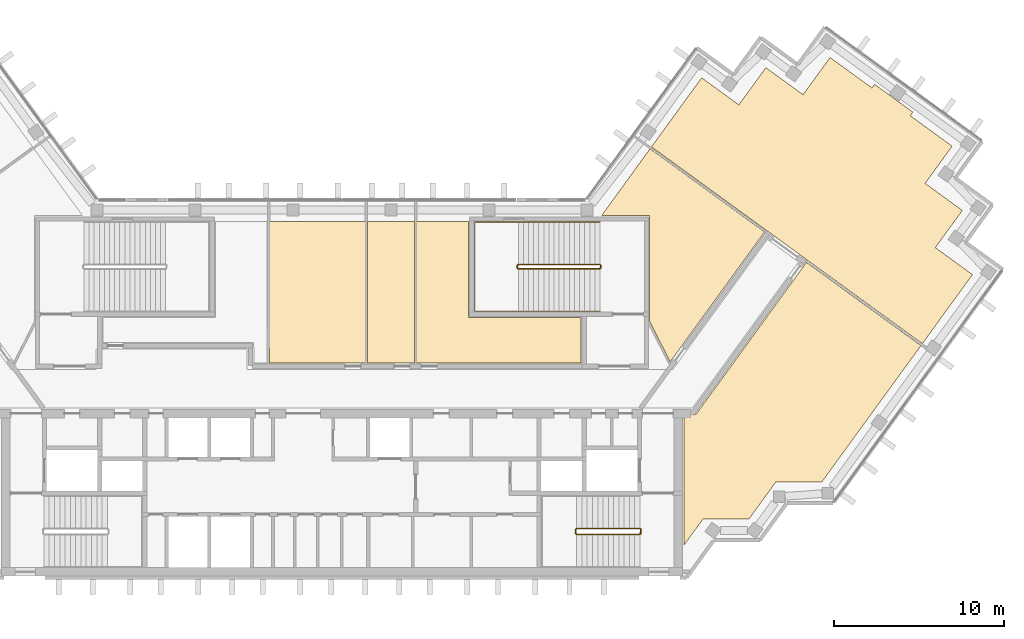
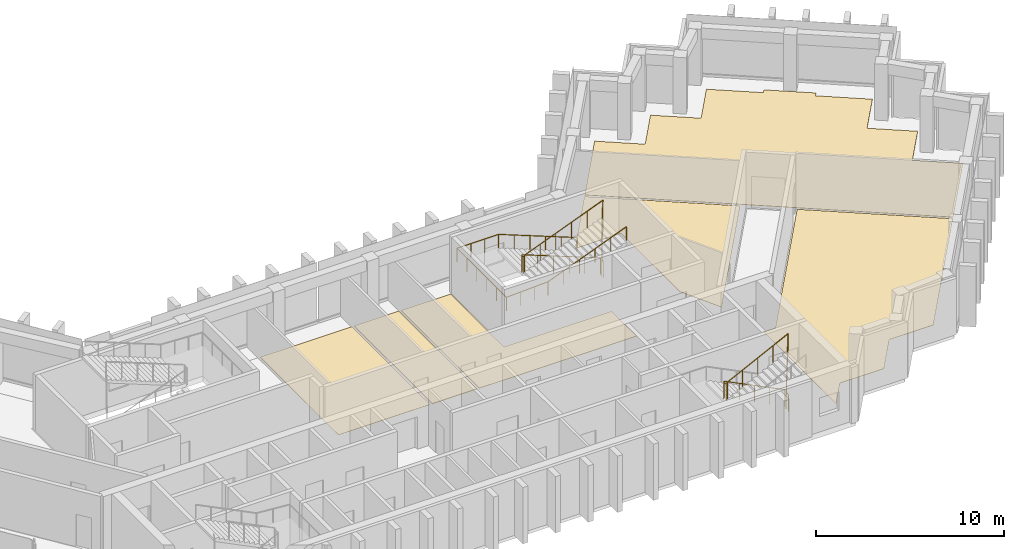
# One storey, part 10 of 10: 6 coverings, 3 railings.
"""IFC4 building model written with IfcOpenShell, lengths in metres."""

from ifc_helpers import new_model, si_unit, direction, frame, origin, origin_2d, place, context, subcontext, project, spatial, polyline, circle, outline, extrude, material, layer, layer_set, type_object, element, save


model = new_model("IFC4")

# Units and contexts
model_context = context("Model", 3, precision=1e-05, world=origin(), true_north=direction((0.0, 1.0)))
body_context = subcontext(model_context, "Body", "Model", "MODEL_VIEW")
ifc_project = project(units=[si_unit("LENGTHUNIT", "METRE"), si_unit("AREAUNIT", "SQUARE_METRE"), si_unit("VOLUMEUNIT", "CUBIC_METRE"), si_unit("PLANEANGLEUNIT", "RADIAN"), si_unit("MASSUNIT", "GRAM", prefix="KILO")], contexts=[model_context])

# Site, building, storey
site_placement = place(None, origin())
site = spatial("IfcSite", under=ifc_project, at=site_placement, CompositionType="ELEMENT")
building_placement = place(site_placement, origin())
building = spatial("IfcBuilding", under=site, at=building_placement, Name="Quipu Civic Tower", CompositionType="ELEMENT")
storey_placement = place(building_placement, frame((0.0, 0.0, 261.0)))
storey = spatial("IfcBuildingStorey", under=building, at=storey_placement, Name="L61", CompositionType="ELEMENT", Elevation=261.0)

# Coverings
ifc_material_1 = material(Name="Carpet tile on raised access floor")
ifc_layer_1 = layer(ifc_material_1, 0.02001953125)
ifc_layer_set_1 = layer_set([ifc_layer_1], Name="Carpet tile on raised access floor")
covering_type_1 = type_object("IfcCoveringType", Name="Carpet tile floor finish 20", PredefinedType="FLOORING", material=ifc_layer_set_1)
covering_1_placement = place(storey_placement, origin())
element("IfcCovering", 1, at=covering_1_placement, inside=storey, type_object=covering_type_1, Name="Carpet tile floor finish 20", PredefinedType="FLOORING", context=body_context, shape_type="SweptSolid", body=[
    extrude(outline(polyline([(15.238037109375, 10.169921875), (18.089111328125, 14.093994140625), (24.81201171875, 9.2109375), (19.27197265625, 1.583984375), (18.070068359375, 3.94189453125), (18.070068359375, 10.1689453125), (15.238037109375, 10.169921875)])), origin(), (0.0, 0.0, 1.0), 0.02001953125),
])
covering_2_placement = place(storey_placement, origin())
element("IfcCovering", 2, at=covering_2_placement, inside=storey, type_object=covering_type_1, Name="Carpet tile floor finish 20", PredefinedType="FLOORING", context=body_context, shape_type="SweptSolid", body=[
    extrude(outline(polyline([(-4.2490234375, 9.830078125), (1.368896484375, 9.830078125), (1.368896484375, 1.52001953125), (-4.2490234375, 1.52001953125), (-4.2490234375, 9.830078125)])), origin(), (0.0, 0.0, 1.0), 0.02001953125),
])
covering_3_placement = place(storey_placement, origin())
element("IfcCovering", 3, at=covering_3_placement, inside=storey, type_object=covering_type_1, Name="Carpet tile floor finish 20", PredefinedType="FLOORING", context=body_context, shape_type="SweptSolid", body=[
    extrude(outline(polyline([(18.172119140625, 14.20703125), (21.116943359375, 18.260986328125), (23.301025390625, 16.675048828125), (24.887939453125, 18.85791015625), (27.073974609375, 17.27197265625), (28.658935546875, 19.455078125), (31.116943359375, 17.6708984375), (31.27099609375, 17.8798828125), (33.52197265625, 16.2451171875), (33.3701171875, 16.032958984375), (35.826904296875, 14.248046875), (34.240966796875, 12.06396484375), (36.425048828125, 10.47607421875), (34.839111328125, 8.291015625), (37.02197265625, 6.7060546875), (34.077880859375, 2.652099609375), (18.172119140625, 14.20703125)])), origin(), (0.0, 0.0, 1.0), 0.02001953125),
])
covering_4_placement = place(storey_placement, origin())
element("IfcCovering", 4, at=covering_4_placement, inside=storey, type_object=covering_type_1, Name="Carpet tile floor finish 20", PredefinedType="FLOORING", context=body_context, shape_type="SweptSolid", body=[
    extrude(outline(polyline([(20.070068359375, -9.195068359375), (20.070068359375, -1.52001953125), (20.77490234375, -1.51904296875), (27.27197265625, 7.423095703125), (33.9951171875, 2.5390625), (28.181884765625, -5.4609375), (25.48193359375, -5.4619140625), (23.89501953125, -7.64599609375), (21.196044921875, -7.64599609375), (20.070068359375, -9.195068359375)])), origin(), (0.0, 0.0, 1.0), 0.02001953125),
])
covering_5_placement = place(storey_placement, origin())
element("IfcCovering", 5, at=covering_5_placement, inside=storey, type_object=covering_type_1, Name="Carpet tile floor finish 20", PredefinedType="FLOORING", context=body_context, shape_type="SweptSolid", body=[
    extrude(outline(polyline([(4.388916015625, 1.52001953125), (4.388916015625, 9.830078125), (7.429931640625, 9.830078125), (7.430908203125, 4.179931640625), (14.030029296875, 4.179931640625), (14.030029296875, 1.52001953125), (4.388916015625, 1.52001953125)])), origin(), (0.0, 0.0, 1.0), 0.02001953125),
])
ifc_material_2 = material(Name="Ceramic floor tile")
ifc_layer_2 = layer(ifc_material_2, 0.030029296875)
ifc_layer_set_2 = layer_set([ifc_layer_2], Name="Ceramic floor tile")
covering_type_2 = type_object("IfcCoveringType", Name="Ceramic tile floor finish 30", PredefinedType="FLOORING", material=ifc_layer_set_2)
covering_6_placement = place(storey_placement, origin())
element("IfcCovering", 6, at=covering_6_placement, inside=storey, type_object=covering_type_2, Name="Ceramic tile floor finish 30", PredefinedType="FLOORING", context=body_context, shape_type="SweptSolid", body=[
    extrude(outline(polyline([(1.510009765625, 1.52001953125), (1.510009765625, 9.830078125), (4.2490234375, 9.830078125), (4.2490234375, 1.52001953125), (1.510009765625, 1.52001953125)])), origin(), (0.0, 0.0, 1.0), 0.030029296875),
])

# Railings
ifc_material_3 = material(Name="Stainless steel", Category="steel")
railing_type_1 = type_object("IfcRailingType", Name="Stair guard 1100", PredefinedType="GUARDRAIL", material=ifc_material_3)
railing_1_placement = place(storey_placement, frame((17.5, -8.199951171875, 0.15380859375)))
element("IfcRailing", 7, at=railing_1_placement, inside=storey, type_object=railing_type_1, Name="Stair 2 guard", PredefinedType="GUARDRAIL", context=body_context, shape_type="SweptSolid", body=[
    extrude(circle(Radius=0.02392578125, at=origin_2d()), frame((0.0, 0.0, 1.076171875), z_axis=(-0.895751851347, 0.0, 0.444554407028), x_axis=(0.0, -1.0, 0.0)), (0.0, 0.0, 1.0), 4.15283203125),
    extrude(circle(Radius=0.02392578125, at=origin_2d()), frame((-3.719970703125, 0.0, 2.92236328125), z_axis=(-0.707106781187, -0.707106781187, 0.0), x_axis=(0.707106781187, -0.707106781187, 0.0)), (0.0, 0.0, 1.0), 0.07080078125),
    extrude(circle(Radius=0.02392578125, at=origin_2d()), frame((-3.77001953125, -0.050048828125, 2.92236328125), z_axis=(0.0, -1.0, 0.0), x_axis=(1.0, 0.0, 0.0)), (0.0, 0.0, 1.0), 0.25),
    extrude(circle(Radius=0.02392578125, at=origin_2d()), frame((-3.77001953125, -0.300048828125, 2.92236328125), z_axis=(0.295599637079, -0.295599637079, 0.908428152975), x_axis=(0.707106781187, 0.707106781187, 0.0)), (0.0, 0.0, 1.0), 0.16943359375),
    extrude(circle(Radius=0.02392578125, at=origin_2d()), frame((-3.719970703125, -0.35009765625, 3.076171875), z_axis=(0.895751851347, 0.0, 0.444554407028), x_axis=(0.0, 1.0, 0.0)), (0.0, 0.0, 1.0), 4.15283203125),
    extrude(circle(Radius=0.02392578125, at=origin_2d()), frame((0.0, -0.35009765625, 4.92236328125), z_axis=(0.012476181752, 0.074796231092, -0.997120789425), x_axis=(-0.986372223864, 0.164529134168, 0.0)), (0.0, 0.0, 1.0), 4.011474609375),
    extrude(circle(Radius=0.02392578125, at=origin_2d()), frame((0.050048828125, -0.050048828125, 0.92236328125), z_axis=(0.0, -1.0, 0.0), x_axis=(1.0, 0.0, 0.0)), (0.0, 0.0, 1.0), 0.25),
    extrude(circle(Radius=0.02099609375, at=origin_2d()), origin(), (0.0, 0.0, 1.0), 1.052001953125),
    extrude(circle(Radius=0.02099609375, at=origin_2d()), frame((-0.929931640625, 0.0, 0.46142578125)), (0.0, 0.0, 1.0), 1.052001953125),
    extrude(circle(Radius=0.02099609375, at=origin_2d()), frame((-1.85986328125, 0.0, 0.923095703125)), (0.0, 0.0, 1.0), 1.052001953125),
    extrude(circle(Radius=0.02099609375, at=origin_2d()), frame((-2.7900390625, 0.0, 1.384765625)), (0.0, 0.0, 1.0), 1.052001953125),
    extrude(circle(Radius=0.02099609375, at=origin_2d()), frame((-3.719970703125, 0.0, 1.84619140625)), (0.0, 0.0, 1.0), 1.052001953125),
    extrude(circle(Radius=0.02099609375, at=origin_2d()), frame((-3.77001953125, -0.050048828125, 1.84619140625)), (0.0, 0.0, 1.0), 1.052001953125),
    extrude(circle(Radius=0.02099609375, at=origin_2d()), frame((-3.77001953125, -0.300048828125, 1.84619140625)), (0.0, 0.0, 1.0), 1.052001953125),
    extrude(circle(Radius=0.02099609375, at=origin_2d()), frame((-3.719970703125, -0.35009765625, 2.0)), (0.0, 0.0, 1.0), 1.052001953125),
    extrude(circle(Radius=0.02099609375, at=origin_2d()), frame((-2.7900390625, -0.35009765625, 2.46142578125)), (0.0, 0.0, 1.0), 1.052001953125),
    extrude(circle(Radius=0.02099609375, at=origin_2d()), frame((-1.85986328125, -0.35009765625, 2.923095703125)), (0.0, 0.0, 1.0), 1.052001953125),
    extrude(circle(Radius=0.02099609375, at=origin_2d()), frame((-0.929931640625, -0.35009765625, 3.384765625)), (0.0, 0.0, 1.0), 1.052001953125),
    extrude(circle(Radius=0.02099609375, at=origin_2d()), frame((0.0, -0.35009765625, 3.84619140625)), (0.0, 0.0, 1.0), 1.052001953125),
    extrude(circle(Radius=0.02099609375, at=origin_2d()), frame((0.012451171875, -0.275146484375, 2.84619140625)), (0.0, 0.0, 1.0), 1.052001953125),
    extrude(circle(Radius=0.02099609375, at=origin_2d()), frame((0.02490234375, -0.2001953125, 1.84619140625)), (0.0, 0.0, 1.0), 1.052001953125),
    extrude(circle(Radius=0.02099609375, at=origin_2d()), frame((0.03759765625, -0.125, 0.84619140625)), (0.0, 0.0, 1.0), 1.052001953125),
    extrude(circle(Radius=0.02099609375, at=origin_2d()), frame((0.050048828125, -0.050048828125, -0.15380859375)), (0.0, 0.0, 1.0), 1.052001953125),
    extrude(circle(Radius=0.02099609375, at=origin_2d()), frame((0.050048828125, -0.300048828125, -0.15380859375)), (0.0, 0.0, 1.0), 1.052001953125),
])
railing_2_placement = place(storey_placement, frame((15.14990234375, 7.300048828125, 0.11767578125)))
element("IfcRailing", 8, at=railing_2_placement, inside=storey, type_object=railing_type_1, Name="Stair 4 guard", PredefinedType="GUARDRAIL", context=body_context, shape_type="SweptSolid", body=[
    extrude(circle(Radius=0.02392578125, at=origin_2d()), frame((0.0, 0.0, 1.076171875), z_axis=(-0.930970042603, 0.0, 0.365095576219), x_axis=(0.0, -1.0, 0.0)), (0.0, 0.0, 1.0), 5.15576171875),
    extrude(circle(Radius=0.02392578125, at=origin_2d()), frame((-4.7998046875, 0.0, 2.95849609375), z_axis=(-0.707106781187, -0.707106781187, 0.0), x_axis=(0.707106781187, -0.707106781187, 0.0)), (0.0, 0.0, 1.0), 0.07080078125),
    extrude(circle(Radius=0.02392578125, at=origin_2d()), frame((-4.849853515625, -0.050048828125, 2.95849609375), z_axis=(0.0, -1.0, 0.0), x_axis=(1.0, 0.0, 0.0)), (0.0, 0.0, 1.0), 0.14990234375),
    extrude(circle(Radius=0.02392578125, at=origin_2d()), frame((-4.849853515625, -0.199951171875, 2.95849609375), z_axis=(0.364463019033, -0.364463019033, 0.856932561824), x_axis=(0.707106781187, 0.707106781187, 0.0)), (0.0, 0.0, 1.0), 0.13720703125),
    extrude(circle(Radius=0.02392578125, at=origin_2d()), frame((-4.7998046875, -0.25, 3.076171875), z_axis=(0.930970042603, 0.0, 0.365095576219), x_axis=(0.0, 1.0, 0.0)), (0.0, 0.0, 1.0), 5.15576171875),
    extrude(circle(Radius=0.02392578125, at=origin_2d()), frame((0.0, -0.25, 4.95849609375), z_axis=(0.012495627992, 0.049921557685, -0.998674970829), x_axis=(-0.970072785993, 0.242814311512, 0.0)), (0.0, 0.0, 1.0), 4.00537109375),
    extrude(circle(Radius=0.02392578125, at=origin_2d()), frame((0.050048828125, -0.050048828125, 0.95849609375), z_axis=(0.0, -1.0, 0.0), x_axis=(1.0, 0.0, 0.0)), (0.0, 0.0, 1.0), 0.14990234375),
    extrude(circle(Radius=0.02099609375, at=origin_2d()), origin(), (0.0, 0.0, 1.0), 1.052001953125),
    extrude(circle(Radius=0.02099609375, at=origin_2d()), frame((-0.9599609375, 0.0, 0.37646484375)), (0.0, 0.0, 1.0), 1.052001953125),
    extrude(circle(Radius=0.02099609375, at=origin_2d()), frame((-1.919921875, 0.0, 0.7529296875)), (0.0, 0.0, 1.0), 1.052001953125),
    extrude(circle(Radius=0.02099609375, at=origin_2d()), frame((-2.8798828125, 0.0, 1.12939453125)), (0.0, 0.0, 1.0), 1.052001953125),
    extrude(circle(Radius=0.02099609375, at=origin_2d()), frame((-3.83984375, 0.0, 1.505859375)), (0.0, 0.0, 1.0), 1.052001953125),
    extrude(circle(Radius=0.02099609375, at=origin_2d()), frame((-4.7998046875, 0.0, 1.88232421875)), (0.0, 0.0, 1.0), 1.052001953125),
    extrude(circle(Radius=0.02099609375, at=origin_2d()), frame((-4.849853515625, -0.050048828125, 1.88232421875)), (0.0, 0.0, 1.0), 1.052001953125),
    extrude(circle(Radius=0.02099609375, at=origin_2d()), frame((-4.849853515625, -0.199951171875, 1.88232421875)), (0.0, 0.0, 1.0), 1.052001953125),
    extrude(circle(Radius=0.02099609375, at=origin_2d()), frame((-4.7998046875, -0.25, 2.0)), (0.0, 0.0, 1.0), 1.052001953125),
    extrude(circle(Radius=0.02099609375, at=origin_2d()), frame((-3.83984375, -0.25, 2.37646484375)), (0.0, 0.0, 1.0), 1.052001953125),
    extrude(circle(Radius=0.02099609375, at=origin_2d()), frame((-2.8798828125, -0.25, 2.7529296875)), (0.0, 0.0, 1.0), 1.052001953125),
    extrude(circle(Radius=0.02099609375, at=origin_2d()), frame((-1.919921875, -0.25, 3.12939453125)), (0.0, 0.0, 1.0), 1.052001953125),
    extrude(circle(Radius=0.02099609375, at=origin_2d()), frame((-0.9599609375, -0.25, 3.505859375)), (0.0, 0.0, 1.0), 1.052001953125),
    extrude(circle(Radius=0.02099609375, at=origin_2d()), frame((0.0, -0.25, 3.88232421875)), (0.0, 0.0, 1.0), 1.052001953125),
    extrude(circle(Radius=0.02099609375, at=origin_2d()), frame((0.012451171875, -0.199951171875, 2.88232421875)), (0.0, 0.0, 1.0), 1.052001953125),
    extrude(circle(Radius=0.02099609375, at=origin_2d()), frame((0.02490234375, -0.14990234375, 1.88232421875)), (0.0, 0.0, 1.0), 1.052001953125),
    extrude(circle(Radius=0.02099609375, at=origin_2d()), frame((0.03759765625, -0.10009765625, 0.88232421875)), (0.0, 0.0, 1.0), 1.052001953125),
    extrude(circle(Radius=0.02099609375, at=origin_2d()), frame((0.050048828125, -0.050048828125, -0.11767578125)), (0.0, 0.0, 1.0), 1.052001953125),
    extrude(circle(Radius=0.02099609375, at=origin_2d()), frame((0.050048828125, -0.199951171875, -0.11767578125)), (0.0, 0.0, 1.0), 1.052001953125),
])
ifc_material_4 = material(Name="Stainless steel", Category="steel")
railing_type_2 = type_object("IfcRailingType", Name="Stair handrail", PredefinedType="HANDRAIL", material=ifc_material_4)
railing_3_placement = place(storey_placement, frame((15.14990234375, 9.800048828125, 0.11767578125)))
element("IfcRailing", 9, at=railing_3_placement, inside=storey, type_object=railing_type_2, Name="Stair 4 handrail", PredefinedType="HANDRAIL", context=body_context, shape_type="SweptSolid", body=[
    extrude(circle(Radius=0.02392578125, at=origin_2d()), frame((0.0, 0.0, 0.8759765625), z_axis=(-0.930970042603, 0.0, 0.365095576219), x_axis=(0.0, -1.0, 0.0)), (0.0, 0.0, 1.0), 5.15576171875),
    extrude(circle(Radius=0.02392578125, at=origin_2d()), frame((-4.7998046875, 0.0, 2.75830078125), z_axis=(-1.0, 0.0, 0.0), x_axis=(0.0, -1.0, 0.0)), (0.0, 0.0, 1.0), 2.550048828125),
    extrude(circle(Radius=0.02392578125, at=origin_2d()), frame((-7.349853515625, 0.0, 2.75830078125), z_axis=(0.0, -1.0, 0.0), x_axis=(1.0, 0.0, 0.0)), (0.0, 0.0, 1.0), 5.25),
    extrude(circle(Radius=0.02392578125, at=origin_2d()), frame((-7.349853515625, -5.25, 2.75830078125), z_axis=(0.998936948642, 0.0, 0.04609742549), x_axis=(0.0, 1.0, 0.0)), (0.0, 0.0, 1.0), 2.552734375),
    extrude(circle(Radius=0.02392578125, at=origin_2d()), frame((-4.7998046875, -5.25, 2.8759765625), z_axis=(0.930970042603, 0.0, 0.365095576219), x_axis=(0.0, 1.0, 0.0)), (0.0, 0.0, 1.0), 5.15576171875),
    extrude(circle(Radius=0.02099609375, at=origin_2d()), origin(), (0.0, 0.0, 1.0), 0.851806640625),
    extrude(circle(Radius=0.02099609375, at=origin_2d()), frame((-0.9599609375, 0.0, 0.37646484375)), (0.0, 0.0, 1.0), 0.851806640625),
    extrude(circle(Radius=0.02099609375, at=origin_2d()), frame((-1.919921875, 0.0, 0.7529296875)), (0.0, 0.0, 1.0), 0.851806640625),
    extrude(circle(Radius=0.02099609375, at=origin_2d()), frame((-2.8798828125, 0.0, 1.12939453125)), (0.0, 0.0, 1.0), 0.851806640625),
    extrude(circle(Radius=0.02099609375, at=origin_2d()), frame((-3.83984375, 0.0, 1.505859375)), (0.0, 0.0, 1.0), 0.851806640625),
    extrude(circle(Radius=0.02099609375, at=origin_2d()), frame((-4.7998046875, 0.0, 1.88232421875)), (0.0, 0.0, 1.0), 0.851806640625),
    extrude(circle(Radius=0.02099609375, at=origin_2d()), frame((-5.64990234375, 0.0, 1.88232421875)), (0.0, 0.0, 1.0), 0.851806640625),
    extrude(circle(Radius=0.02099609375, at=origin_2d()), frame((-6.499755859375, 0.0, 1.88232421875)), (0.0, 0.0, 1.0), 0.851806640625),
    extrude(circle(Radius=0.02099609375, at=origin_2d()), frame((-7.349853515625, 0.0, 1.88232421875)), (0.0, 0.0, 1.0), 0.851806640625),
    extrude(circle(Radius=0.02099609375, at=origin_2d()), frame((-7.349853515625, -1.050048828125, 1.88232421875)), (0.0, 0.0, 1.0), 0.851806640625),
    extrude(circle(Radius=0.02099609375, at=origin_2d()), frame((-7.349853515625, -2.10009765625, 1.88232421875)), (0.0, 0.0, 1.0), 0.851806640625),
    extrude(circle(Radius=0.02099609375, at=origin_2d()), frame((-7.349853515625, -3.14990234375, 1.88232421875)), (0.0, 0.0, 1.0), 0.851806640625),
    extrude(circle(Radius=0.02099609375, at=origin_2d()), frame((-7.349853515625, -4.199951171875, 1.88232421875)), (0.0, 0.0, 1.0), 0.851806640625),
    extrude(circle(Radius=0.02099609375, at=origin_2d()), frame((-7.349853515625, -5.25, 1.88232421875)), (0.0, 0.0, 1.0), 0.851806640625),
    extrude(circle(Radius=0.02099609375, at=origin_2d()), frame((-6.499755859375, -5.25, 1.921630859375)), (0.0, 0.0, 1.0), 0.851806640625),
    extrude(circle(Radius=0.02099609375, at=origin_2d()), frame((-5.64990234375, -5.25, 1.960693359375)), (0.0, 0.0, 1.0), 0.851806640625),
    extrude(circle(Radius=0.02099609375, at=origin_2d()), frame((-4.7998046875, -5.25, 2.0)), (0.0, 0.0, 1.0), 0.851806640625),
    extrude(circle(Radius=0.02099609375, at=origin_2d()), frame((-3.83984375, -5.25, 2.37646484375)), (0.0, 0.0, 1.0), 0.851806640625),
    extrude(circle(Radius=0.02099609375, at=origin_2d()), frame((-2.8798828125, -5.25, 2.7529296875)), (0.0, 0.0, 1.0), 0.851806640625),
    extrude(circle(Radius=0.02099609375, at=origin_2d()), frame((-1.919921875, -5.25, 3.12939453125)), (0.0, 0.0, 1.0), 0.851806640625),
    extrude(circle(Radius=0.02099609375, at=origin_2d()), frame((-0.9599609375, -5.25, 3.505859375)), (0.0, 0.0, 1.0), 0.851806640625),
    extrude(circle(Radius=0.02099609375, at=origin_2d()), frame((0.0, -5.25, 3.88232421875)), (0.0, 0.0, 1.0), 0.851806640625),
])

save(model, "model.ifc")
